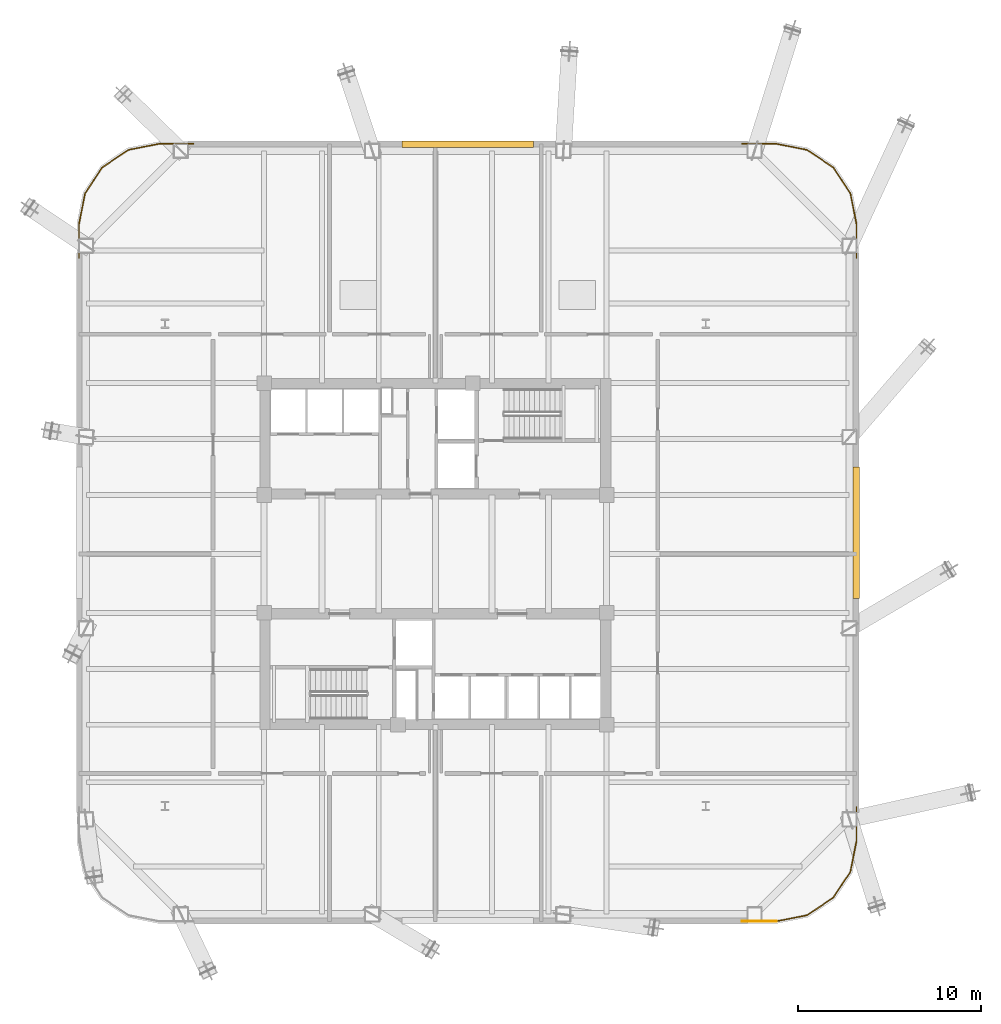
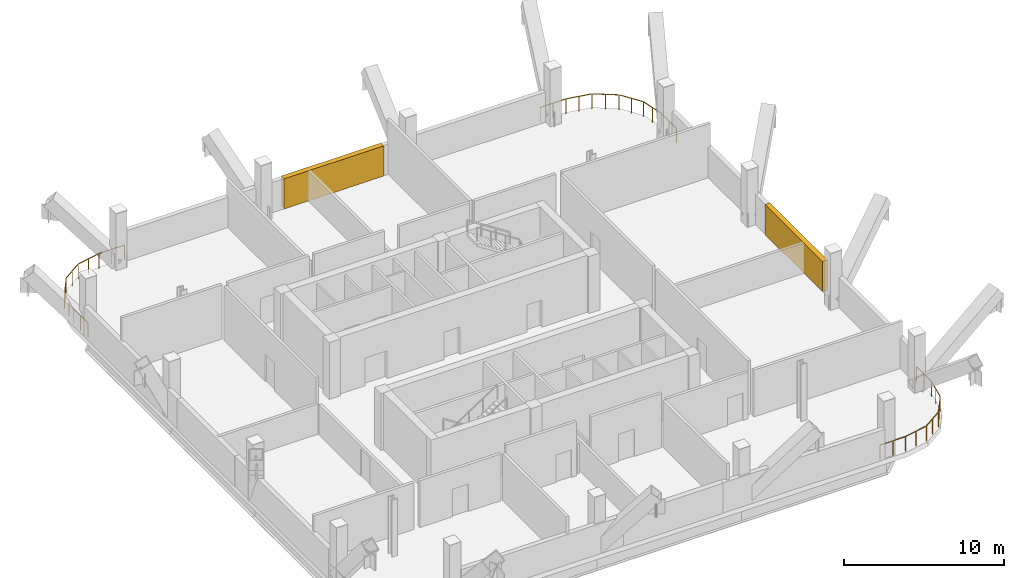
# One storey, part 8 of 8: 4 railings, 2 shading devices.
"""IFC4 building model written with IfcOpenShell, lengths in metres."""

from ifc_helpers import new_model, si_unit, direction, frame, origin, origin_2d, place, context, subcontext, project, spatial, rectangle, extrude, material, type_object, element, save


model = new_model("IFC4")

# Units and contexts
model_context = context("Model", 3, precision=1e-05, world=origin(), true_north=direction((0.0, 1.0)))
body_context = subcontext(model_context, "Body", "Model", "MODEL_VIEW")
ifc_project = project(units=[si_unit("LENGTHUNIT", "METRE"), si_unit("AREAUNIT", "SQUARE_METRE"), si_unit("VOLUMEUNIT", "CUBIC_METRE"), si_unit("PLANEANGLEUNIT", "RADIAN"), si_unit("MASSUNIT", "GRAM", prefix="KILO")], contexts=[model_context])

# Site, building, storey
site_placement = place(None, origin())
site = spatial("IfcSite", under=ifc_project, at=site_placement, CompositionType="ELEMENT")
building_placement = place(site_placement, origin())
building = spatial("IfcBuilding", under=site, at=building_placement, Name="Qhalaya Broadcast Tower", CompositionType="ELEMENT")
storey_placement = place(building_placement, frame((0.0, 0.0, 65.10009765625)))
storey = spatial("IfcBuildingStorey", under=building, at=storey_placement, Name="L18", CompositionType="ELEMENT", Elevation=65.10009765625)

# Shading devices
ifc_material_1 = material(Name="Fired Architectural Terracotta", Category="masonry")
shading_device_type = type_object("IfcShadingDeviceType", Name="Plant & Turbine-Slot Acoustic Louvre Screen LVS-01", PredefinedType="USERDEFINED", material=ifc_material_1)
for number, where, z_axis, x_axis, name in (
    (1, (23.030029296875, 1.77001953125, -0.000244140625), (0.0, 0.0, 1.0), (0.0, -1.0, 0.0), "L18 Plant Acoustic Louvre Screen E"),
    (2, (1.77001953125, 23.030029296875, -0.000244140625), (0.0, 0.0, 1.0), (1.0, 0.0, 0.0), "L18 Plant Acoustic Louvre Screen N"),
):
    element("IfcShadingDevice", number, at=place(storey_placement, frame(where, z_axis=z_axis, x_axis=x_axis)), inside=storey, type_object=shading_device_type, Name=name, ObjectType="LOUVRE", PredefinedType="USERDEFINED", context=body_context, shape_type="SweptSolid", body=[
        extrude(rectangle(XDim=7.199951171875, YDim=0.360107421875, at=origin_2d()), origin(), (0.0, 0.0, 1.0), 2.31005859375),
    ])

# Railings
ifc_material_2 = material(Name="Powder-Coated Galvanised Steel", Category="steel")
railing_type = type_object("IfcRailingType", Name="Terrace, Sky-Pool & Lookout Glass Balustrade 1150", PredefinedType="BALUSTRADE", material=ifc_material_2)
railing_1_placement = place(storey_placement, frame((18.658203125, -19.510009765625, 0.0)))
element("IfcRailing", 3, at=railing_1_placement, inside=storey, type_object=railing_type, Name="L18 Rounded Corner Perimeter Guard 01", PredefinedType="BALUSTRADE", context=body_context, shape_type="SweptSolid", body=[
    extrude(rectangle(XDim=0.048095703125, YDim=0.048095703125, at=origin_2d()), frame((0.0, 0.0, 1.1259765625), z_axis=(-1.0, 0.0, 0.0), x_axis=(0.0, -1.0, 0.0)), (0.0, 0.0, 1.0), 1.856201171875),
    extrude(rectangle(XDim=0.0419921875, YDim=0.0419921875, at=origin_2d()), origin(), (0.0, 0.0, 1.0), 1.099853515625),
    extrude(rectangle(XDim=0.0419921875, YDim=0.0419921875, at=origin_2d()), frame((-0.92822265625, 0.0, 0.0)), (0.0, 0.0, 1.0), 1.099853515625),
    extrude(rectangle(XDim=0.0419921875, YDim=0.0419921875, at=origin_2d()), frame((-1.856201171875, 0.0, 0.0)), (0.0, 0.0, 1.0), 1.099853515625),
])
railing_2_placement = place(storey_placement, frame((-19.510009765625, 16.802001953125, 0.0)))
element("IfcRailing", 4, at=railing_2_placement, inside=storey, type_object=railing_type, Name="L18 Rounded Corner Perimeter Guard 03", PredefinedType="BALUSTRADE", context=body_context, shape_type="SweptSolid", body=[
    extrude(rectangle(XDim=0.048095703125, YDim=0.048095703125, at=origin_2d()), frame((0.0, 0.0, 1.1259765625), z_axis=(0.0, 1.0, 0.0), x_axis=(-1.0, 0.0, 0.0)), (0.0, 0.0, 1.0), 1.827392578125),
    extrude(rectangle(XDim=0.048095703125, YDim=0.048095703125, at=origin_2d()), frame((0.005615234375, 1.884521484375, 1.1259765625), z_axis=(0.195024175165, 0.980798435511, 0.0), x_axis=(-0.980798435511, 0.195024175165, 0.0)), (0.0, 0.0, 1.0), 1.662353515625),
    extrude(rectangle(XDim=0.048095703125, YDim=0.048095703125, at=origin_2d()), frame((0.3515625, 3.567138671875, 1.1259765625), z_axis=(0.555590476887, 0.831456085426, 0.0), x_axis=(-0.831456085426, 0.555590476887, 0.0)), (0.0, 0.0, 1.0), 1.650390625),
    extrude(rectangle(XDim=0.048095703125, YDim=0.048095703125, at=origin_2d()), frame((1.308349609375, 4.9794921875, 1.1259765625), z_axis=(0.831390055854, 0.555689279209, 0.0), x_axis=(-0.555689279209, 0.831390055854, 0.0)), (0.0, 0.0, 1.0), 1.650390625),
    extrude(rectangle(XDim=0.048095703125, YDim=0.048095703125, at=origin_2d()), frame((2.73291015625, 5.918212890625, 1.1259765625), z_axis=(0.980803832953, 0.194997028864, 0.0), x_axis=(-0.194997028864, 0.980803832953, 0.0)), (0.0, 0.0, 1.0), 1.66259765625),
    extrude(rectangle(XDim=0.048095703125, YDim=0.048095703125, at=origin_2d()), frame((4.420654296875, 6.248046875, 1.1259765625), z_axis=(1.0, 0.0, 0.0), x_axis=(0.0, 1.0, 0.0)), (0.0, 0.0, 1.0), 1.827392578125),
    extrude(rectangle(XDim=0.0419921875, YDim=0.0419921875, at=origin_2d()), origin(), (0.0, 0.0, 1.0), 1.099853515625),
    extrude(rectangle(XDim=0.0419921875, YDim=0.0419921875, at=origin_2d()), frame((0.0, 0.92822265625, 0.0)), (0.0, 0.0, 1.0), 1.099853515625),
    extrude(rectangle(XDim=0.0419921875, YDim=0.0419921875, at=origin_2d()), frame((0.0, 1.856201171875, 0.0)), (0.0, 0.0, 1.0), 1.099853515625),
    extrude(rectangle(XDim=0.0419921875, YDim=0.0419921875, at=origin_2d()), frame((0.167724609375, 2.69970703125, 0.0)), (0.0, 0.0, 1.0), 1.099853515625),
    extrude(rectangle(XDim=0.0419921875, YDim=0.0419921875, at=origin_2d()), frame((0.33544921875, 3.543212890625, 0.0)), (0.0, 0.0, 1.0), 1.099853515625),
    extrude(rectangle(XDim=0.0419921875, YDim=0.0419921875, at=origin_2d()), frame((0.81005859375, 4.25341796875, 0.0)), (0.0, 0.0, 1.0), 1.099853515625),
    extrude(rectangle(XDim=0.0419921875, YDim=0.0419921875, at=origin_2d()), frame((1.284423828125, 4.96337890625, 0.0)), (0.0, 0.0, 1.0), 1.099853515625),
    extrude(rectangle(XDim=0.0419921875, YDim=0.0419921875, at=origin_2d()), frame((1.99462890625, 5.43798828125, 0.0)), (0.0, 0.0, 1.0), 1.099853515625),
    extrude(rectangle(XDim=0.0419921875, YDim=0.0419921875, at=origin_2d()), frame((2.70458984375, 5.91259765625, 0.0)), (0.0, 0.0, 1.0), 1.099853515625),
    extrude(rectangle(XDim=0.0419921875, YDim=0.0419921875, at=origin_2d()), frame((3.54833984375, 6.080322265625, 0.0)), (0.0, 0.0, 1.0), 1.099853515625),
    extrude(rectangle(XDim=0.0419921875, YDim=0.0419921875, at=origin_2d()), frame((4.391845703125, 6.248046875, 0.0)), (0.0, 0.0, 1.0), 1.099853515625),
    extrude(rectangle(XDim=0.0419921875, YDim=0.0419921875, at=origin_2d()), frame((5.31982421875, 6.248046875, 0.0)), (0.0, 0.0, 1.0), 1.099853515625),
    extrude(rectangle(XDim=0.0419921875, YDim=0.0419921875, at=origin_2d()), frame((6.248046875, 6.248046875, 0.0)), (0.0, 0.0, 1.0), 1.099853515625),
])
railing_3_placement = place(storey_placement, frame((16.802001953125, 23.050048828125, 0.0)))
element("IfcRailing", 5, at=railing_3_placement, inside=storey, type_object=railing_type, Name="L18 Rounded Corner Perimeter Guard 04", PredefinedType="BALUSTRADE", context=body_context, shape_type="SweptSolid", body=[
    extrude(rectangle(XDim=0.048095703125, YDim=0.048095703125, at=origin_2d()), frame((0.0, 0.0, 1.1259765625), z_axis=(1.0, 0.0, 0.0), x_axis=(0.0, 1.0, 0.0)), (0.0, 0.0, 1.0), 1.827392578125),
    extrude(rectangle(XDim=0.048095703125, YDim=0.048095703125, at=origin_2d()), frame((1.884521484375, -0.005615234375, 1.1259765625), z_axis=(0.980798435511, -0.195024175165, 0.0), x_axis=(0.195024175165, 0.980798435511, 0.0)), (0.0, 0.0, 1.0), 1.662353515625),
    extrude(rectangle(XDim=0.048095703125, YDim=0.048095703125, at=origin_2d()), frame((3.567138671875, -0.3515625, 1.1259765625), z_axis=(0.831390055854, -0.555689279209, 0.0), x_axis=(0.555689279209, 0.831390055854, 0.0)), (0.0, 0.0, 1.0), 1.650390625),
    extrude(rectangle(XDim=0.048095703125, YDim=0.048095703125, at=origin_2d()), frame((4.9794921875, -1.30859375, 1.1259765625), z_axis=(0.555689279209, -0.831390055854, 0.0), x_axis=(0.831390055854, 0.555689279209, 0.0)), (0.0, 0.0, 1.0), 1.650390625),
    extrude(rectangle(XDim=0.048095703125, YDim=0.048095703125, at=origin_2d()), frame((5.918212890625, -2.733154296875, 1.1259765625), z_axis=(0.195024175165, -0.980798435511, 0.0), x_axis=(0.980798435511, 0.195024175165, 0.0)), (0.0, 0.0, 1.0), 1.662353515625),
    extrude(rectangle(XDim=0.048095703125, YDim=0.048095703125, at=origin_2d()), frame((6.248046875, -4.420654296875, 1.1259765625), z_axis=(0.0, -1.0, 0.0), x_axis=(1.0, 0.0, 0.0)), (0.0, 0.0, 1.0), 1.827392578125),
    extrude(rectangle(XDim=0.0419921875, YDim=0.0419921875, at=origin_2d()), origin(), (0.0, 0.0, 1.0), 1.099853515625),
    extrude(rectangle(XDim=0.0419921875, YDim=0.0419921875, at=origin_2d()), frame((0.92822265625, 0.0, 0.0)), (0.0, 0.0, 1.0), 1.099853515625),
    extrude(rectangle(XDim=0.0419921875, YDim=0.0419921875, at=origin_2d()), frame((1.856201171875, 0.0, 0.0)), (0.0, 0.0, 1.0), 1.099853515625),
    extrude(rectangle(XDim=0.0419921875, YDim=0.0419921875, at=origin_2d()), frame((2.69970703125, -0.167724609375, 0.0)), (0.0, 0.0, 1.0), 1.099853515625),
    extrude(rectangle(XDim=0.0419921875, YDim=0.0419921875, at=origin_2d()), frame((3.543212890625, -0.33544921875, 0.0)), (0.0, 0.0, 1.0), 1.099853515625),
    extrude(rectangle(XDim=0.0419921875, YDim=0.0419921875, at=origin_2d()), frame((4.25341796875, -0.81005859375, 0.0)), (0.0, 0.0, 1.0), 1.099853515625),
    extrude(rectangle(XDim=0.0419921875, YDim=0.0419921875, at=origin_2d()), frame((4.96337890625, -1.28466796875, 0.0)), (0.0, 0.0, 1.0), 1.099853515625),
    extrude(rectangle(XDim=0.0419921875, YDim=0.0419921875, at=origin_2d()), frame((5.43798828125, -1.99462890625, 0.0)), (0.0, 0.0, 1.0), 1.099853515625),
    extrude(rectangle(XDim=0.0419921875, YDim=0.0419921875, at=origin_2d()), frame((5.91259765625, -2.704833984375, 0.0)), (0.0, 0.0, 1.0), 1.099853515625),
    extrude(rectangle(XDim=0.0419921875, YDim=0.0419921875, at=origin_2d()), frame((6.080322265625, -3.54833984375, 0.0)), (0.0, 0.0, 1.0), 1.099853515625),
    extrude(rectangle(XDim=0.0419921875, YDim=0.0419921875, at=origin_2d()), frame((6.248046875, -4.391845703125, 0.0)), (0.0, 0.0, 1.0), 1.099853515625),
    extrude(rectangle(XDim=0.0419921875, YDim=0.0419921875, at=origin_2d()), frame((6.248046875, -5.31982421875, 0.0)), (0.0, 0.0, 1.0), 1.099853515625),
    extrude(rectangle(XDim=0.0419921875, YDim=0.0419921875, at=origin_2d()), frame((6.248046875, -6.248046875, 0.0)), (0.0, 0.0, 1.0), 1.099853515625),
])
railing_4_placement = place(storey_placement, frame((23.050048828125, -13.261962890625, 0.0)))
element("IfcRailing", 6, at=railing_4_placement, inside=storey, type_object=railing_type, Name="L18 Rounded Corner Perimeter Guard 05", PredefinedType="BALUSTRADE", context=body_context, shape_type="SweptSolid", body=[
    extrude(rectangle(XDim=0.048095703125, YDim=0.048095703125, at=origin_2d()), frame((0.0, 0.0, 1.1259765625), z_axis=(0.0, -1.0, 0.0), x_axis=(1.0, 0.0, 0.0)), (0.0, 0.0, 1.0), 1.827392578125),
    extrude(rectangle(XDim=0.048095703125, YDim=0.048095703125, at=origin_2d()), frame((-0.005615234375, -1.884521484375, 1.1259765625), z_axis=(-0.194997028864, -0.980803832953, 0.0), x_axis=(0.980803832953, -0.194997028864, 0.0)), (0.0, 0.0, 1.0), 1.66259765625),
    extrude(rectangle(XDim=0.048095703125, YDim=0.048095703125, at=origin_2d()), frame((-0.3515625, -3.5673828125, 1.1259765625), z_axis=(-0.555689279209, -0.831390055854, 0.0), x_axis=(0.831390055854, -0.555689279209, 0.0)), (0.0, 0.0, 1.0), 1.650390625),
    extrude(rectangle(XDim=0.048095703125, YDim=0.048095703125, at=origin_2d()), frame((-1.30859375, -4.979736328125, 1.1259765625), z_axis=(-0.831456085426, -0.555590476887, 0.0), x_axis=(0.555590476887, -0.831456085426, 0.0)), (0.0, 0.0, 1.0), 1.650390625),
    extrude(rectangle(XDim=0.048095703125, YDim=0.048095703125, at=origin_2d()), frame((-2.733154296875, -5.918212890625, 1.1259765625), z_axis=(-0.980798435511, -0.195024175165, 0.0), x_axis=(0.195024175165, -0.980798435511, 0.0)), (0.0, 0.0, 1.0), 1.691162109375),
    extrude(rectangle(XDim=0.0419921875, YDim=0.0419921875, at=origin_2d()), origin(), (0.0, 0.0, 1.0), 1.099853515625),
    extrude(rectangle(XDim=0.0419921875, YDim=0.0419921875, at=origin_2d()), frame((0.0, -0.92822265625, 0.0)), (0.0, 0.0, 1.0), 1.099853515625),
    extrude(rectangle(XDim=0.0419921875, YDim=0.0419921875, at=origin_2d()), frame((0.0, -1.856201171875, 0.0)), (0.0, 0.0, 1.0), 1.099853515625),
    extrude(rectangle(XDim=0.0419921875, YDim=0.0419921875, at=origin_2d()), frame((-0.167724609375, -2.69970703125, 0.0)), (0.0, 0.0, 1.0), 1.099853515625),
    extrude(rectangle(XDim=0.0419921875, YDim=0.0419921875, at=origin_2d()), frame((-0.33544921875, -3.54345703125, 0.0)), (0.0, 0.0, 1.0), 1.099853515625),
    extrude(rectangle(XDim=0.0419921875, YDim=0.0419921875, at=origin_2d()), frame((-0.81005859375, -4.25341796875, 0.0)), (0.0, 0.0, 1.0), 1.099853515625),
    extrude(rectangle(XDim=0.0419921875, YDim=0.0419921875, at=origin_2d()), frame((-1.28466796875, -4.963623046875, 0.0)), (0.0, 0.0, 1.0), 1.099853515625),
    extrude(rectangle(XDim=0.0419921875, YDim=0.0419921875, at=origin_2d()), frame((-1.99462890625, -5.43798828125, 0.0)), (0.0, 0.0, 1.0), 1.099853515625),
    extrude(rectangle(XDim=0.0419921875, YDim=0.0419921875, at=origin_2d()), frame((-2.704833984375, -5.91259765625, 0.0)), (0.0, 0.0, 1.0), 1.099853515625),
    extrude(rectangle(XDim=0.0419921875, YDim=0.0419921875, at=origin_2d()), frame((-3.54833984375, -6.080322265625, 0.0)), (0.0, 0.0, 1.0), 1.099853515625),
    extrude(rectangle(XDim=0.0419921875, YDim=0.0419921875, at=origin_2d()), frame((-4.391845703125, -6.248046875, 0.0)), (0.0, 0.0, 1.0), 1.099853515625),
])

save(model, "model.ifc")
